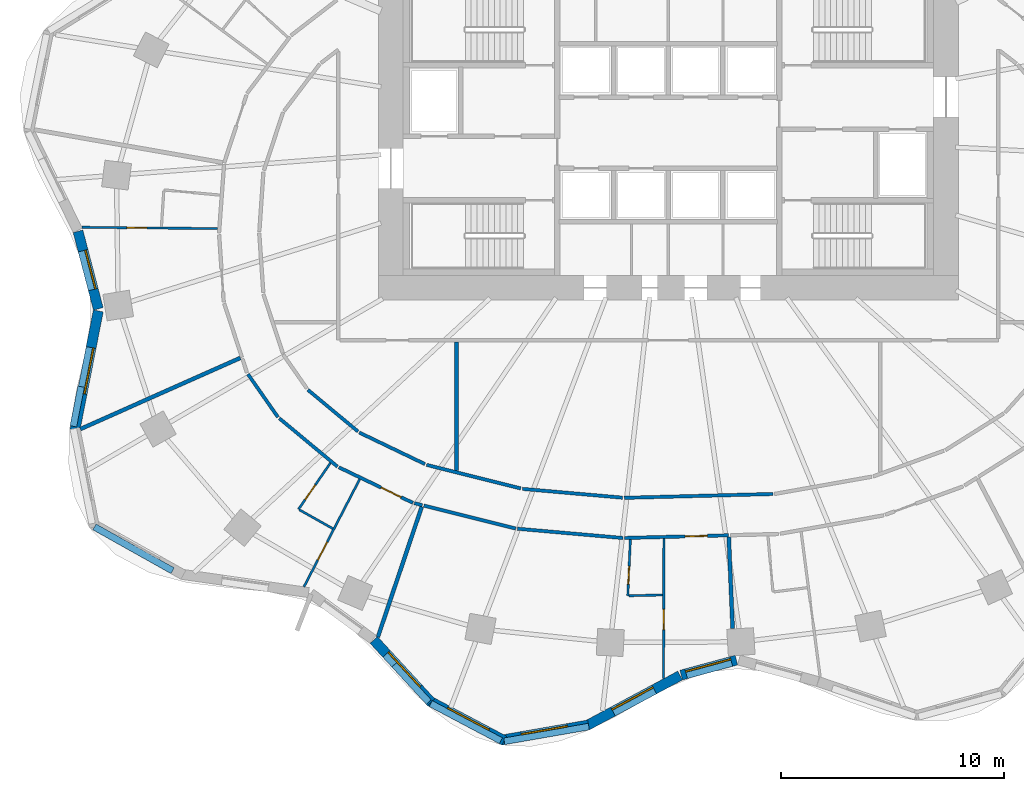
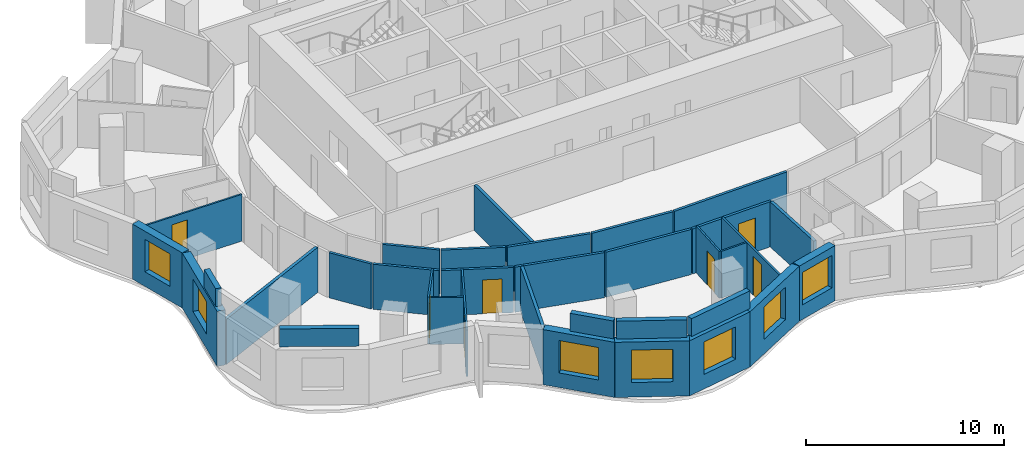
# One storey, part 3 of 10: 35 walls, 7 doors, 7 windows, 14 openings.
"""IFC4 building model written with IfcOpenShell, lengths in metres."""

from ifc_helpers import new_model, si_unit, direction, frame, frame_2d, origin, place, context, subcontext, project, spatial, rectangle, extrude, material, layer, layer_set, type_object, element, fill, save


model = new_model("IFC4")

# Units and contexts
model_context = context("Model", 3, precision=1e-05, world=origin(), true_north=direction((0.0, 1.0)))
body_context = subcontext(model_context, "Body", "Model", "MODEL_VIEW")
ifc_project = project(units=[si_unit("LENGTHUNIT", "METRE"), si_unit("AREAUNIT", "SQUARE_METRE"), si_unit("VOLUMEUNIT", "CUBIC_METRE"), si_unit("PLANEANGLEUNIT", "RADIAN"), si_unit("MASSUNIT", "GRAM", prefix="KILO")], contexts=[model_context])

# Site, building, storey
site_placement = place(None, origin())
site = spatial("IfcSite", under=ifc_project, at=site_placement, CompositionType="ELEMENT")
building_placement = place(site_placement, origin())
building = spatial("IfcBuilding", under=site, at=building_placement, Name="Rubra Terraces Tower", CompositionType="ELEMENT")
storey_placement = place(building_placement, frame((0.0, 0.0, 96.0)))
storey = spatial("IfcBuildingStorey", under=building, at=storey_placement, Name="L22", CompositionType="ELEMENT", Elevation=96.0)

# Walls
ifc_material_1 = material(Name="Twin plasterboard on staggered steel stud, acoustic mineral wool", Category="steel")
ifc_layer_1 = layer(ifc_material_1, 0.175048828125)
ifc_layer_set_1 = layer_set([ifc_layer_1], Name="Twin plasterboard on staggered steel stud, acoustic mineral wool")
wall_type_1 = type_object("IfcWallType", Name="ACOUSTIC PARTY WALL 175", PredefinedType="PARTITIONING", material=ifc_layer_set_1)
wall_1_placement = place(storey_placement, frame((-26.3671875, -8.789306640625, 0.0), z_axis=(0.0, 0.0, 1.0), x_axis=(0.913674334345, 0.406447057756, 0.0)))
element("IfcWall", 1, at=wall_1_placement, inside=storey, type_object=wall_type_1, Name="PARTITION", PredefinedType="PARTITIONING", context=body_context, shape_type="SweptSolid", body=[
    extrude(rectangle(XDim=7.853759765625, YDim=0.175048828125, at=frame_2d((3.9267578125, 0.0))), origin(), (0.0, 0.0, 1.0), 2.783935546875),
])
wall_2_placement = place(storey_placement, frame((-13.024169921875, -18.112060546875, 0.0), z_axis=(0.0, 0.0, 1.0), x_axis=(0.319078434674, 0.947728311556, 0.0)))
element("IfcWall", 2, at=wall_2_placement, inside=storey, type_object=wall_type_1, Name="PARTITION", PredefinedType="PARTITIONING", context=body_context, shape_type="SweptSolid", body=[
    extrude(rectangle(XDim=6.163330078125, YDim=0.175048828125, at=frame_2d((3.08154296875, 0.0))), origin(), (0.0, 0.0, 1.0), 2.783935546875),
])
wall_3_placement = place(storey_placement, frame((2.88232421875, -17.732177734375, 0.0), z_axis=(0.0, 0.0, 1.0), x_axis=(-0.042001196053, 0.999117560415, 0.0)))
element("IfcWall", 3, at=wall_3_placement, inside=storey, type_object=wall_type_1, Name="PARTITION", PredefinedType="PARTITIONING", context=body_context, shape_type="SweptSolid", body=[
    extrude(rectangle(XDim=4.109619140625, YDim=0.175048828125, at=frame_2d((2.0546875, 0.0))), origin(), (0.0, 0.0, 1.0), 2.783935546875),
])
wall_4_placement = place(storey_placement, frame((-9.5, -10.653564453125, 0.0), z_axis=(0.0, 0.0, 1.0), x_axis=(0.0, 1.0, 0.0)))
element("IfcWall", 4, at=wall_4_placement, inside=storey, type_object=wall_type_1, Name="PARTITION", PredefinedType="PARTITIONING", context=body_context, shape_type="SweptSolid", body=[
    extrude(rectangle(XDim=5.778564453125, YDim=0.175048828125, at=frame_2d((2.88916015625, 0.0))), origin(), (0.0, 0.0, 1.0), 2.783935546875),
])

# Wall, opening, window
ifc_material_2 = material(Name="Brick masonry red-brown", Category="masonry")
ifc_layer_2 = layer(ifc_material_2, 0.449951171875)
ifc_layer_set_2 = layer_set([ifc_layer_2], Name="Brick masonry red-brown")
wall_type_2 = type_object("IfcWallType", Name="Brick facade wall 450", PredefinedType="SOLIDWALL", material=ifc_layer_set_2)
wall_5_placement = place(storey_placement, frame((-26.469482421875, 0.0791015625, 0.0), z_axis=(0.0, 0.0, 1.0), x_axis=(0.252446779859, -0.967610780913, 0.0)))
wall_5 = element("IfcWall", 5, at=wall_5_placement, inside=storey, type_object=wall_type_2, Name="Facade wall L22 bay 21", PredefinedType="SOLIDWALL", context=body_context, shape_type="SweptSolid", body=[
    extrude(rectangle(XDim=3.5947265625, YDim=0.449951171875, at=frame_2d((1.79736328125, 0.0))), origin(), (0.0, 0.0, 1.0), 3.39990234375),
])
opening_1_placement = place(wall_5_placement, frame((0.897216796875, 0.0, 0.89990234375)))
opening_1 = element("IfcOpeningElement", 6, at=opening_1_placement, cuts=wall_5, Name="Opening W6", PredefinedType="OPENING", context=body_context, shape_type="SweptSolid", body=[
    extrude(rectangle(XDim=1.800048828125, YDim=2.0, at=frame_2d((0.89990234375, 1.0))), frame((0.0, 0.23486328125, 0.0), z_axis=(0.0, -1.0, 0.0), x_axis=(1.0, 0.0, 0.0)), (0.0, 0.0, 1.0), 0.469970703125),
])
ifc_material_3 = material(Name="Clear glass in aluminium frame", Category="aluminium")
window_type_1 = type_object("IfcWindowType", Name="Fixed deep-set window at wind fin 1800 x 2000", PartitioningType="SINGLE_PANEL", PredefinedType="WINDOW", material=ifc_material_3)
window_1_placement = place(opening_1_placement, origin())
window_1 = element("IfcWindow", 7, at=window_1_placement, inside=storey, type_object=window_type_1, Name="Window L22 bay 21", OverallHeight=2.0, OverallWidth=1.800048828125, PartitioningType="SINGLE_PANEL", PredefinedType="WINDOW", context=body_context, shape_type="SweptSolid", body=[
    extrude(rectangle(XDim=1.800048828125, YDim=2.0, at=frame_2d((0.89990234375, 1.0))), frame((0.0, 0.135009765625, 0.0), z_axis=(0.0, -1.0, 0.0), x_axis=(1.0, 0.0, 0.0)), (0.0, 0.0, 1.0), 0.06005859375),
])
fill(opening_1, window_1)

wall_6_placement = place(storey_placement, frame((-25.561279296875, -3.490478515625, 0.0), z_axis=(0.0, 0.0, 1.0), x_axis=(-0.192494026297, -0.981298145234, 0.0)))
wall_6 = element("IfcWall", 8, at=wall_6_placement, inside=storey, type_object=wall_type_2, Name="Facade wall L22 bay 22", PredefinedType="SOLIDWALL", context=body_context, shape_type="SweptSolid", body=[
    extrude(rectangle(XDim=5.446044921875, YDim=0.449951171875, at=frame_2d((2.72314453125, 0.0))), origin(), (0.0, 0.0, 1.0), 3.39990234375),
])
opening_2_placement = place(wall_6_placement, frame((1.673095703125, 0.0, 0.89990234375)))
opening_2 = element("IfcOpeningElement", 9, at=opening_2_placement, cuts=wall_6, Name="Opening W1", PredefinedType="OPENING", context=body_context, shape_type="SweptSolid", body=[
    extrude(rectangle(XDim=2.10009765625, YDim=2.0, at=frame_2d((1.050048828125, 1.0))), frame((0.0, 0.23486328125, 0.0), z_axis=(0.0, -1.0, 0.0), x_axis=(1.0, 0.0, 0.0)), (0.0, 0.0, 1.0), 0.469970703125),
])
window_type_2 = type_object("IfcWindowType", Name="Fixed deep-set window 2100 x 2000", PartitioningType="SINGLE_PANEL", PredefinedType="WINDOW", material=ifc_material_3)
window_2_placement = place(opening_2_placement, origin())
window_2 = element("IfcWindow", 10, at=window_2_placement, inside=storey, type_object=window_type_2, Name="Window L22 bay 22", OverallHeight=2.0, OverallWidth=2.10009765625, PartitioningType="SINGLE_PANEL", PredefinedType="WINDOW", context=body_context, shape_type="SweptSolid", body=[
    extrude(rectangle(XDim=2.10009765625, YDim=2.0, at=frame_2d((1.050048828125, 1.0))), frame((0.0, 0.135009765625, 0.0), z_axis=(0.0, -1.0, 0.0), x_axis=(1.0, 0.0, 0.0)), (0.0, 0.0, 1.0), 0.06005859375),
])
fill(opening_2, window_2)

wall_7_placement = place(storey_placement, frame((-13.20947265625, -18.242919921875, 0.0), z_axis=(0.0, 0.0, 1.0), x_axis=(0.677612152497, -0.735419452278, 0.0)))
wall_7 = element("IfcWall", 11, at=wall_7_placement, inside=storey, type_object=wall_type_2, Name="Facade wall L22 bay 27", PredefinedType="SOLIDWALL", context=body_context, shape_type="SweptSolid", body=[
    extrude(rectangle(XDim=3.796875, YDim=0.449951171875, at=frame_2d((1.8984375, 0.0))), origin(), (0.0, 0.0, 1.0), 3.39990234375),
])
opening_3_placement = place(wall_7_placement, frame((0.848388671875, 0.0, 0.89990234375)))
opening_3 = element("IfcOpeningElement", 12, at=opening_3_placement, cuts=wall_7, Name="Opening W1", PredefinedType="OPENING", context=body_context, shape_type="SweptSolid", body=[
    extrude(rectangle(XDim=2.10009765625, YDim=2.0, at=frame_2d((1.050048828125, 1.0))), frame((0.0, 0.23486328125, 0.0), z_axis=(0.0, -1.0, 0.0), x_axis=(1.0, 0.0, 0.0)), (0.0, 0.0, 1.0), 0.469970703125),
])
window_3_placement = place(opening_3_placement, origin())
window_3 = element("IfcWindow", 13, at=window_3_placement, inside=storey, type_object=window_type_2, Name="Window L22 bay 27", OverallHeight=2.0, OverallWidth=2.10009765625, PartitioningType="SINGLE_PANEL", PredefinedType="WINDOW", context=body_context, shape_type="SweptSolid", body=[
    extrude(rectangle(XDim=2.10009765625, YDim=2.0, at=frame_2d((1.050048828125, 1.0))), frame((0.0, 0.135009765625, 0.0), z_axis=(0.0, -1.0, 0.0), x_axis=(1.0, 0.0, 0.0)), (0.0, 0.0, 1.0), 0.06005859375),
])
fill(opening_3, window_3)

wall_8_placement = place(storey_placement, frame((-10.692626953125, -20.9931640625, 0.0), z_axis=(0.0, 0.0, 1.0), x_axis=(0.883817790726, -0.46783128668, 0.0)))
wall_8 = element("IfcWall", 14, at=wall_8_placement, inside=storey, type_object=wall_type_2, Name="Facade wall L22 bay 28", PredefinedType="SOLIDWALL", context=body_context, shape_type="SweptSolid", body=[
    extrude(rectangle(XDim=3.776611328125, YDim=0.449951171875, at=frame_2d((1.88818359375, 0.0))), origin(), (0.0, 0.0, 1.0), 3.39990234375),
])
opening_4_placement = place(wall_8_placement, frame((0.83837890625, 0.0, 0.89990234375)))
opening_4 = element("IfcOpeningElement", 15, at=opening_4_placement, cuts=wall_8, Name="Opening W1", PredefinedType="OPENING", context=body_context, shape_type="SweptSolid", body=[
    extrude(rectangle(XDim=2.10009765625, YDim=2.0, at=frame_2d((1.050048828125, 1.0))), frame((0.0, 0.23486328125, 0.0), z_axis=(0.0, -1.0, 0.0), x_axis=(1.0, 0.0, 0.0)), (0.0, 0.0, 1.0), 0.469970703125),
])
window_4_placement = place(opening_4_placement, origin())
window_4 = element("IfcWindow", 16, at=window_4_placement, inside=storey, type_object=window_type_2, Name="Window L22 bay 28", OverallHeight=2.0, OverallWidth=2.10009765625, PartitioningType="SINGLE_PANEL", PredefinedType="WINDOW", context=body_context, shape_type="SweptSolid", body=[
    extrude(rectangle(XDim=2.10009765625, YDim=2.0, at=frame_2d((1.050048828125, 1.0))), frame((0.0, 0.135009765625, 0.0), z_axis=(0.0, -1.0, 0.0), x_axis=(1.0, 0.0, 0.0)), (0.0, 0.0, 1.0), 0.06005859375),
])
fill(opening_4, window_4)

wall_9_placement = place(storey_placement, frame((-7.49853515625, -22.7373046875, 0.0), z_axis=(0.0, 0.0, 1.0), x_axis=(0.98521220506, 0.171338585849, 0.0)))
wall_9 = element("IfcWall", 17, at=wall_9_placement, inside=storey, type_object=wall_type_2, Name="Facade wall L22 bay 29", PredefinedType="SOLIDWALL", context=body_context, shape_type="SweptSolid", body=[
    extrude(rectangle(XDim=3.979736328125, YDim=0.449951171875, at=frame_2d((1.98974609375, 0.0))), origin(), (0.0, 0.0, 1.0), 3.39990234375),
])
opening_5_placement = place(wall_9_placement, frame((0.93994140625, 0.0, 0.89990234375)))
opening_5 = element("IfcOpeningElement", 18, at=opening_5_placement, cuts=wall_9, Name="Opening W1", PredefinedType="OPENING", context=body_context, shape_type="SweptSolid", body=[
    extrude(rectangle(XDim=2.10009765625, YDim=2.0, at=frame_2d((1.050048828125, 1.0))), frame((0.0, 0.23486328125, 0.0), z_axis=(0.0, -1.0, 0.0), x_axis=(1.0, 0.0, 0.0)), (0.0, 0.0, 1.0), 0.469970703125),
])
window_5_placement = place(opening_5_placement, origin())
window_5 = element("IfcWindow", 19, at=window_5_placement, inside=storey, type_object=window_type_2, Name="Window L22 bay 29", OverallHeight=2.0, OverallWidth=2.10009765625, PartitioningType="SINGLE_PANEL", PredefinedType="WINDOW", context=body_context, shape_type="SweptSolid", body=[
    extrude(rectangle(XDim=2.10009765625, YDim=2.0, at=frame_2d((1.050048828125, 1.0))), frame((0.0, 0.135009765625, 0.0), z_axis=(0.0, -1.0, 0.0), x_axis=(1.0, 0.0, 0.0)), (0.0, 0.0, 1.0), 0.06005859375),
])
fill(opening_5, window_5)

wall_10_placement = place(storey_placement, frame((-3.6455078125, -22.07861328125, 0.0), z_axis=(0.0, 0.0, 1.0), x_axis=(0.881279133897, 0.472596115259, 0.0)))
wall_10 = element("IfcWall", 20, at=wall_10_placement, inside=storey, type_object=wall_type_2, Name="Facade wall L22 bay 30", PredefinedType="SOLIDWALL", context=body_context, shape_type="SweptSolid", body=[
    extrude(rectangle(XDim=4.736572265625, YDim=0.449951171875, at=frame_2d((2.3681640625, 0.0))), origin(), (0.0, 0.0, 1.0), 3.39990234375),
])
opening_6_placement = place(wall_10_placement, frame((1.318115234375, 0.0, 0.89990234375)))
opening_6 = element("IfcOpeningElement", 21, at=opening_6_placement, cuts=wall_10, Name="Opening W1", PredefinedType="OPENING", context=body_context, shape_type="SweptSolid", body=[
    extrude(rectangle(XDim=2.10009765625, YDim=2.0, at=frame_2d((1.050048828125, 1.0))), frame((0.0, 0.23486328125, 0.0), z_axis=(0.0, -1.0, 0.0), x_axis=(1.0, 0.0, 0.0)), (0.0, 0.0, 1.0), 0.469970703125),
])
window_6_placement = place(opening_6_placement, origin())
window_6 = element("IfcWindow", 22, at=window_6_placement, inside=storey, type_object=window_type_2, Name="Window L22 bay 30", OverallHeight=2.0, OverallWidth=2.10009765625, PartitioningType="SINGLE_PANEL", PredefinedType="WINDOW", context=body_context, shape_type="SweptSolid", body=[
    extrude(rectangle(XDim=2.10009765625, YDim=2.0, at=frame_2d((1.050048828125, 1.0))), frame((0.0, 0.135009765625, 0.0), z_axis=(0.0, -1.0, 0.0), x_axis=(1.0, 0.0, 0.0)), (0.0, 0.0, 1.0), 0.06005859375),
])
fill(opening_6, window_6)

wall_11_placement = place(storey_placement, frame((0.576171875, -19.8212890625, 0.0), z_axis=(0.0, 0.0, 1.0), x_axis=(0.965009398019, 0.262215296532, 0.0)))
wall_11 = element("IfcWall", 23, at=wall_11_placement, inside=storey, type_object=wall_type_2, Name="Facade wall L22 bay 31", PredefinedType="SOLIDWALL", context=body_context, shape_type="SweptSolid", body=[
    extrude(rectangle(XDim=2.565185546875, YDim=0.449951171875, at=frame_2d((1.28271484375, 0.0))), origin(), (0.0, 0.0, 1.0), 3.39990234375),
])
opening_7_placement = place(wall_11_placement, frame((0.232666015625, 0.0, 0.89990234375)))
opening_7 = element("IfcOpeningElement", 24, at=opening_7_placement, cuts=wall_11, Name="Opening W1", PredefinedType="OPENING", context=body_context, shape_type="SweptSolid", body=[
    extrude(rectangle(XDim=2.10009765625, YDim=2.0, at=frame_2d((1.050048828125, 1.0))), frame((0.0, 0.23486328125, 0.0), z_axis=(0.0, -1.0, 0.0), x_axis=(1.0, 0.0, 0.0)), (0.0, 0.0, 1.0), 0.469970703125),
])
window_7_placement = place(opening_7_placement, origin())
window_7 = element("IfcWindow", 25, at=window_7_placement, inside=storey, type_object=window_type_2, Name="Window L22 bay 31", OverallHeight=2.0, OverallWidth=2.10009765625, PartitioningType="SINGLE_PANEL", PredefinedType="WINDOW", context=body_context, shape_type="SweptSolid", body=[
    extrude(rectangle(XDim=2.10009765625, YDim=2.0, at=frame_2d((1.050048828125, 1.0))), frame((0.0, 0.135009765625, 0.0), z_axis=(0.0, -1.0, 0.0), x_axis=(1.0, 0.0, 0.0)), (0.0, 0.0, 1.0), 0.06005859375),
])
fill(opening_7, window_7)

# Walls
ifc_layer_3 = layer(ifc_material_2, 0.300048828125)
ifc_layer_set_3 = layer_set([ifc_layer_3], Name="Brick masonry red-brown")
wall_type_3 = type_object("IfcWallType", Name="Brick parapet 300", PredefinedType="PARAPET", material=ifc_layer_set_3)
wall_12_placement = place(storey_placement, frame((-26.33154296875, -6.888671875, 3.60009765625), z_axis=(0.0, 0.0, 1.0), x_axis=(-0.192480725658, -0.981300754229, 0.0)))
element("IfcWall", 26, at=wall_12_placement, inside=storey, type_object=wall_type_3, Name="Parapet L22 bay 22", PredefinedType="PARAPET", context=body_context, shape_type="SweptSolid", body=[
    extrude(rectangle(XDim=1.808837890625, YDim=0.300048828125, at=frame_2d((0.904296875, 0.0))), origin(), (0.0, 0.0, 1.0), 1.099853515625),
])
wall_13_placement = place(storey_placement, frame((-25.733642578125, -13.175537109375, 3.60009765625), z_axis=(0.0, 0.0, 1.0), x_axis=(0.872347343965, -0.488886603905, 0.0)))
element("IfcWall", 27, at=wall_13_placement, inside=storey, type_object=wall_type_3, Name="Parapet L22 bay 24", PredefinedType="PARAPET", context=body_context, shape_type="SweptSolid", body=[
    extrude(rectangle(XDim=4.015625, YDim=0.300048828125, at=frame_2d((2.0078125, 0.0))), origin(), (0.0, 0.0, 1.0), 1.099853515625),
])
wall_14_placement = place(storey_placement, frame((-12.287841796875, -19.353759765625, 3.60009765625), z_axis=(0.0, 0.0, 1.0), x_axis=(0.677603807485, -0.735427141246, 0.0)))
element("IfcWall", 28, at=wall_14_placement, inside=storey, type_object=wall_type_3, Name="Parapet L22 bay 27", PredefinedType="PARAPET", context=body_context, shape_type="SweptSolid", body=[
    extrude(rectangle(XDim=2.280029296875, YDim=0.300048828125, at=frame_2d((1.14013671875, 0.0))), origin(), (0.0, 0.0, 1.0), 1.099853515625),
])
wall_15_placement = place(storey_placement, frame((-10.656005859375, -21.097412109375, 3.60009765625), z_axis=(0.0, 0.0, 1.0), x_axis=(0.883797916666, -0.467868830439, 0.0)))
element("IfcWall", 29, at=wall_15_placement, inside=storey, type_object=wall_type_3, Name="Parapet L22 bay 28", PredefinedType="PARAPET", context=body_context, shape_type="SweptSolid", body=[
    extrude(rectangle(XDim=3.56298828125, YDim=0.300048828125, at=frame_2d((1.781494140625, 0.0))), origin(), (0.0, 0.0, 1.0), 1.099853515625),
])
wall_16_placement = place(storey_placement, frame((-7.35498046875, -22.78857421875, 3.60009765625), z_axis=(0.0, 0.0, 1.0), x_axis=(0.985201040548, 0.171402770404, 0.0)))
element("IfcWall", 30, at=wall_16_placement, inside=storey, type_object=wall_type_3, Name="Parapet L22 bay 29", PredefinedType="PARAPET", context=body_context, shape_type="SweptSolid", body=[
    extrude(rectangle(XDim=3.84716796875, YDim=0.300048828125, at=frame_2d((1.923583984375, 0.0))), origin(), (0.0, 0.0, 1.0), 1.099853515625),
])
ifc_material_4 = material(Name="Plasterboard on steel stud, mineral wool infill", Category="steel")
ifc_layer_4 = layer(ifc_material_4, 0.14990234375)
ifc_layer_set_4 = layer_set([ifc_layer_4], Name="Plasterboard on steel stud, mineral wool infill")
wall_type_4 = type_object("IfcWallType", Name="CORRIDOR PARTITION 150", PredefinedType="PARTITIONING", material=ifc_layer_set_4)
wall_17_placement = place(storey_placement, frame((-18.85107421875, -6.324951171875, 0.0), z_axis=(0.0, 0.0, 1.0), x_axis=(0.572090775968, -0.820190309656, 0.0)))
element("IfcWall", 31, at=wall_17_placement, inside=storey, type_object=wall_type_4, Name="PARTITION", PredefinedType="PARTITIONING", context=body_context, shape_type="SweptSolid", body=[
    extrude(rectangle(XDim=2.354736328125, YDim=0.14990234375, at=frame_2d((1.17724609375, 0.0))), origin(), (0.0, 0.0, 1.0), 2.783935546875),
])
wall_18_placement = place(storey_placement, frame((-17.4462890625, -8.30419921875, 0.0), z_axis=(0.0, 0.0, 1.0), x_axis=(0.769200174495, -0.639007896318, 0.0)))
element("IfcWall", 32, at=wall_18_placement, inside=storey, type_object=wall_type_4, Name="PARTITION", PredefinedType="PARTITIONING", context=body_context, shape_type="SweptSolid", body=[
    extrude(rectangle(XDim=3.390380859375, YDim=0.14990234375, at=frame_2d((1.6953125, 0.0))), origin(), (0.0, 0.0, 1.0), 2.783935546875),
])

# Wall, opening, door
wall_19_placement = place(storey_placement, frame((-14.77099609375, -10.50341796875, 0.0), z_axis=(0.0, 0.0, 1.0), x_axis=(0.901503349553, -0.432772123346, 0.0)))
wall_19 = element("IfcWall", 33, at=wall_19_placement, inside=storey, type_object=wall_type_4, Name="PARTITION", PredefinedType="PARTITIONING", context=body_context, shape_type="SweptSolid", body=[
    extrude(rectangle(XDim=3.673095703125, YDim=0.14990234375, at=frame_2d((1.83642578125, 0.0))), origin(), (0.0, 0.0, 1.0), 2.783935546875),
])
opening_8_placement = place(wall_19_placement, frame((2.092041015625, 0.0, 0.0)))
opening_8 = element("IfcOpeningElement", 34, at=opening_8_placement, cuts=wall_19, Name="Opening 22-114", PredefinedType="OPENING", context=body_context, shape_type="SweptSolid", body=[
    extrude(rectangle(XDim=1.0, YDim=2.10009765625, at=frame_2d((0.5, 1.050048828125))), frame((0.0, 0.0849609375, 0.0), z_axis=(0.0, -1.0, 0.0), x_axis=(1.0, 0.0, 0.0)), (0.0, 0.0, 1.0), 0.169921875),
])
ifc_material_5 = material(Name="Painted timber door leaf", Category="wood")
door_type_1 = type_object("IfcDoorType", Name="ROOM DOOR 1000 X 2100", OperationType="SINGLE_SWING_LEFT", PredefinedType="DOOR", material=ifc_material_5)
door_1_placement = place(opening_8_placement, origin())
door_1 = element("IfcDoor", 35, at=door_1_placement, inside=storey, type_object=door_type_1, Name="DOOR 22-114", OperationType="SINGLE_SWING_RIGHT", OverallHeight=2.10009765625, OverallWidth=1.0, PredefinedType="DOOR", context=body_context, shape_type="SweptSolid", body=[
    extrude(rectangle(XDim=1.0, YDim=2.10009765625, at=frame_2d((0.5, 1.050048828125))), frame((0.0, 0.02490234375, 0.0), z_axis=(0.0, -1.0, 0.0), x_axis=(1.0, 0.0, 0.0)), (0.0, 0.0, 1.0), 0.050048828125),
])
fill(opening_8, door_1)

# Walls
wall_20_placement = place(storey_placement, frame((-11.386962890625, -12.111328125, 0.0), z_axis=(0.0, 0.0, 1.0), x_axis=(0.969945028314, -0.243324150157, 0.0)))
element("IfcWall", 36, at=wall_20_placement, inside=storey, type_object=wall_type_4, Name="PARTITION", PredefinedType="PARTITIONING", context=body_context, shape_type="SweptSolid", body=[
    extrude(rectangle(XDim=0.3642578125, YDim=0.14990234375, at=frame_2d((0.18212890625, 0.0))), origin(), (0.0, 0.0, 1.0), 2.783935546875),
])
wall_21_placement = place(storey_placement, frame((-10.961181640625, -12.218017578125, 0.0), z_axis=(0.0, 0.0, 1.0), x_axis=(0.969990045386, -0.243144631551, 0.0)))
element("IfcWall", 37, at=wall_21_placement, inside=storey, type_object=wall_type_4, Name="PARTITION", PredefinedType="PARTITIONING", context=body_context, shape_type="SweptSolid", body=[
    extrude(rectangle(XDim=4.244384765625, YDim=0.14990234375, at=frame_2d((2.1220703125, 0.0))), origin(), (0.0, 0.0, 1.0), 2.783935546875),
])
wall_22_placement = place(storey_placement, frame((-6.76953125, -13.256591796875, 0.0), z_axis=(0.0, 0.0, 1.0), x_axis=(0.996139758015, -0.08778144737, 0.0)))
element("IfcWall", 38, at=wall_22_placement, inside=storey, type_object=wall_type_4, Name="PARTITION", PredefinedType="PARTITIONING", context=body_context, shape_type="SweptSolid", body=[
    extrude(rectangle(XDim=4.755859375, YDim=0.14990234375, at=frame_2d((2.3779296875, 0.0))), origin(), (0.0, 0.0, 1.0), 2.783935546875),
])

# Wall, opening, door
wall_23_placement = place(storey_placement, frame((-1.95703125, -13.672119140625, 0.0), z_axis=(0.0, 0.0, 1.0), x_axis=(0.999664413823, 0.025904820691, 0.0)))
wall_23 = element("IfcWall", 39, at=wall_23_placement, inside=storey, type_object=wall_type_4, Name="PARTITION", PredefinedType="PARTITIONING", context=body_context, shape_type="SweptSolid", body=[
    extrude(rectangle(XDim=4.6650390625, YDim=0.14990234375, at=frame_2d((2.33251953125, 0.0))), origin(), (0.0, 0.0, 1.0), 2.783935546875),
])
opening_9_placement = place(wall_23_placement, frame((2.7119140625, 0.0, 0.0)))
opening_9 = element("IfcOpeningElement", 40, at=opening_9_placement, cuts=wall_23, Name="Opening 22-117", PredefinedType="OPENING", context=body_context, shape_type="SweptSolid", body=[
    extrude(rectangle(XDim=1.0, YDim=2.10009765625, at=frame_2d((0.5, 1.050048828125))), frame((0.0, 0.0849609375, 0.0), z_axis=(0.0, -1.0, 0.0), x_axis=(1.0, 0.0, 0.0)), (0.0, 0.0, 1.0), 0.169921875),
])
door_2_placement = place(opening_9_placement, origin())
door_2 = element("IfcDoor", 41, at=door_2_placement, inside=storey, type_object=door_type_1, Name="DOOR 22-117", OperationType="SINGLE_SWING_RIGHT", OverallHeight=2.10009765625, OverallWidth=1.0, PredefinedType="DOOR", context=body_context, shape_type="SweptSolid", body=[
    extrude(rectangle(XDim=1.0, YDim=2.10009765625, at=frame_2d((0.5, 1.050048828125))), frame((0.0, 0.02490234375, 0.0), z_axis=(0.0, -1.0, 0.0), x_axis=(1.0, 0.0, 0.0)), (0.0, 0.0, 1.0), 0.050048828125),
])
fill(opening_9, door_2)

# Walls
wall_24_placement = place(storey_placement, frame((4.684326171875, -11.69921875, 0.0), z_axis=(0.0, 0.0, 1.0), x_axis=(-0.999663438204, -0.025942442425, 0.0)))
element("IfcWall", 42, at=wall_24_placement, inside=storey, type_object=wall_type_4, Name="PARTITION", PredefinedType="PARTITIONING", context=body_context, shape_type="SweptSolid", body=[
    extrude(rectangle(XDim=6.662841796875, YDim=0.14990234375, at=frame_2d((3.33154296875, 0.0))), origin(), (0.0, 0.0, 1.0), 2.783935546875),
])
wall_25_placement = place(storey_placement, frame((-2.05078125, -11.865478515625, 0.0), z_axis=(0.0, 0.0, 1.0), x_axis=(-0.996139599493, 0.087783246245, 0.0)))
element("IfcWall", 43, at=wall_25_placement, inside=storey, type_object=wall_type_4, Name="PARTITION", PredefinedType="PARTITIONING", context=body_context, shape_type="SweptSolid", body=[
    extrude(rectangle(XDim=4.510986328125, YDim=0.14990234375, at=frame_2d((2.25537109375, 0.0))), origin(), (0.0, 0.0, 1.0), 2.783935546875),
])
wall_26_placement = place(storey_placement, frame((-6.6171875, -11.451416015625, 0.0), z_axis=(0.0, 0.0, 1.0), x_axis=(-0.969987441267, 0.243155020069, 0.0)))
element("IfcWall", 44, at=wall_26_placement, inside=storey, type_object=wall_type_4, Name="PARTITION", PredefinedType="PARTITIONING", context=body_context, shape_type="SweptSolid", body=[
    extrude(rectangle(XDim=4.358642578125, YDim=0.14990234375, at=frame_2d((2.17919921875, 0.0))), origin(), (0.0, 0.0, 1.0), 2.783935546875),
])
wall_27_placement = place(storey_placement, frame((-10.91259765625, -10.35888671875, 0.0), z_axis=(0.0, 0.0, 1.0), x_axis=(-0.90149741277, 0.432784489982, 0.0)))
element("IfcWall", 45, at=wall_27_placement, inside=storey, type_object=wall_type_4, Name="PARTITION", PredefinedType="PARTITIONING", context=body_context, shape_type="SweptSolid", body=[
    extrude(rectangle(XDim=3.2685546875, YDim=0.14990234375, at=frame_2d((1.63427734375, 0.0))), origin(), (0.0, 0.0, 1.0), 2.783935546875),
])
wall_28_placement = place(storey_placement, frame((-13.916748046875, -8.896484375, 0.0), z_axis=(0.0, 0.0, 1.0), x_axis=(-0.769130409479, 0.639091866021, 0.0)))
element("IfcWall", 46, at=wall_28_placement, inside=storey, type_object=wall_type_4, Name="PARTITION", PredefinedType="PARTITIONING", context=body_context, shape_type="SweptSolid", body=[
    extrude(rectangle(XDim=2.925048828125, YDim=0.14990234375, at=frame_2d((1.46240234375, 0.0))), origin(), (0.0, 0.0, 1.0), 2.783935546875),
])

# Wall, opening, door
ifc_material_6 = material(Name="Plasterboard on steel stud", Category="steel")
ifc_layer_5 = layer(ifc_material_6, 0.10009765625)
ifc_layer_set_5 = layer_set([ifc_layer_5], Name="Plasterboard on steel stud")
wall_type_5 = type_object("IfcWallType", Name="ROOM PARTITION 100", PredefinedType="PARTITIONING", material=ifc_layer_set_5)
wall_29_placement = place(storey_placement, frame((-26.300537109375, 0.26025390625, 0.0), z_axis=(0.0, 0.0, 1.0), x_axis=(0.999951380923, -0.009860820962, 0.0)))
wall_29 = element("IfcWall", 47, at=wall_29_placement, inside=storey, type_object=wall_type_5, Name="PARTITION", PredefinedType="PARTITIONING", context=body_context, shape_type="SweptSolid", body=[
    extrude(rectangle(XDim=6.090576171875, YDim=0.10009765625, at=frame_2d((3.04541015625, 0.0))), origin(), (0.0, 0.0, 1.0), 2.884033203125),
])
opening_10_placement = place(wall_29_placement, frame((2.01611328125, 0.0, 0.0)))
opening_10 = element("IfcOpeningElement", 48, at=opening_10_placement, cuts=wall_29, Name="Opening 22-110", PredefinedType="OPENING", context=body_context, shape_type="SweptSolid", body=[
    extrude(rectangle(XDim=0.89990234375, YDim=2.39990234375, at=frame_2d((0.449951171875, 1.199951171875))), frame((0.0, 0.06005859375, 0.0), z_axis=(0.0, -1.0, 0.0), x_axis=(1.0, 0.0, 0.0)), (0.0, 0.0, 1.0), 0.1201171875),
])
ifc_material_7 = material(Name="Veneered timber door leaf, fire-rated", Category="wood")
door_type_2 = type_object("IfcDoorType", Name="SUITE ENTRANCE DOOR 900 X 2400", OperationType="SINGLE_SWING_LEFT", PredefinedType="DOOR", material=ifc_material_7)
door_3_placement = place(opening_10_placement, origin())
door_3 = element("IfcDoor", 49, at=door_3_placement, inside=storey, type_object=door_type_2, Name="DOOR 22-110", OperationType="SINGLE_SWING_LEFT", OverallHeight=2.39990234375, OverallWidth=0.89990234375, PredefinedType="DOOR", context=body_context, shape_type="SweptSolid", body=[
    extrude(rectangle(XDim=0.89990234375, YDim=2.39990234375, at=frame_2d((0.449951171875, 1.199951171875))), frame((0.0, 0.02490234375, 0.0), z_axis=(0.0, -1.0, 0.0), x_axis=(1.0, 0.0, 0.0)), (0.0, 0.0, 1.0), 0.050048828125),
])
fill(opening_10, door_3)

wall_30_placement = place(storey_placement, frame((-16.341064453125, -15.8623046875, 0.0), z_axis=(0.0, 0.0, 1.0), x_axis=(0.460149427678, 0.887841485969, 0.0)))
wall_30 = element("IfcWall", 50, at=wall_30_placement, inside=storey, type_object=wall_type_5, Name="PARTITION", PredefinedType="PARTITIONING", context=body_context, shape_type="SweptSolid", body=[
    extrude(rectangle(XDim=5.438232421875, YDim=0.10009765625, at=frame_2d((2.71923828125, 0.0))), origin(), (0.0, 0.0, 1.0), 2.884033203125),
])
opening_11_placement = place(wall_30_placement, frame((1.363037109375, 0.0, 0.0)))
opening_11 = element("IfcOpeningElement", 51, at=opening_11_placement, cuts=wall_30, Name="Opening 22-113", PredefinedType="OPENING", context=body_context, shape_type="SweptSolid", body=[
    extrude(rectangle(XDim=0.89990234375, YDim=2.39990234375, at=frame_2d((0.449951171875, 1.199951171875))), frame((0.0, 0.06005859375, 0.0), z_axis=(0.0, -1.0, 0.0), x_axis=(1.0, 0.0, 0.0)), (0.0, 0.0, 1.0), 0.1201171875),
])
door_4_placement = place(opening_11_placement, origin())
door_4 = element("IfcDoor", 52, at=door_4_placement, inside=storey, type_object=door_type_2, Name="DOOR 22-113", OperationType="SINGLE_SWING_LEFT", OverallHeight=2.39990234375, OverallWidth=0.89990234375, PredefinedType="DOOR", context=body_context, shape_type="SweptSolid", body=[
    extrude(rectangle(XDim=0.89990234375, YDim=2.39990234375, at=frame_2d((0.449951171875, 1.199951171875))), frame((0.0, 0.02490234375, 0.0), z_axis=(0.0, -1.0, 0.0), x_axis=(1.0, 0.0, 0.0)), (0.0, 0.0, 1.0), 0.050048828125),
])
fill(opening_11, door_4)

wall_31_placement = place(storey_placement, frame((-15.15234375, -10.30712890625, 0.0), z_axis=(0.0, 0.0, 1.0), x_axis=(-0.567242581317, -0.823550759784, 0.0)))
wall_31 = element("IfcWall", 53, at=wall_31_placement, inside=storey, type_object=wall_type_5, Name="PARTITION", PredefinedType="PARTITIONING", context=body_context, shape_type="SweptSolid", body=[
    extrude(rectangle(XDim=2.525146484375, YDim=0.10009765625, at=frame_2d((1.2626953125, 0.0))), origin(), (0.0, 0.0, 1.0), 2.884033203125),
])
opening_12_placement = place(wall_31_placement, frame((1.199951171875, 0.0, 0.0)))
opening_12 = element("IfcOpeningElement", 54, at=opening_12_placement, cuts=wall_31, Name="Opening 22-112", PredefinedType="OPENING", context=body_context, shape_type="SweptSolid", body=[
    extrude(rectangle(XDim=0.800048828125, YDim=2.10009765625, at=frame_2d((0.39990234375, 1.050048828125))), frame((0.0, 0.06005859375, 0.0), z_axis=(0.0, -1.0, 0.0), x_axis=(1.0, 0.0, 0.0)), (0.0, 0.0, 1.0), 0.1201171875),
])
door_type_3 = type_object("IfcDoorType", Name="BATHROOM DOOR 800 X 2100", OperationType="SINGLE_SWING_LEFT", PredefinedType="DOOR", material=ifc_material_5)
door_5_placement = place(opening_12_placement, origin())
door_5 = element("IfcDoor", 55, at=door_5_placement, inside=storey, type_object=door_type_3, Name="DOOR 22-112", OperationType="SINGLE_SWING_LEFT", OverallHeight=2.10009765625, OverallWidth=0.800048828125, PredefinedType="DOOR", context=body_context, shape_type="SweptSolid", body=[
    extrude(rectangle(XDim=0.800048828125, YDim=2.10009765625, at=frame_2d((0.39990234375, 1.050048828125))), frame((0.0, 0.02490234375, 0.0), z_axis=(0.0, -1.0, 0.0), x_axis=(1.0, 0.0, 0.0)), (0.0, 0.0, 1.0), 0.050048828125),
])
fill(opening_12, door_5)

# Wall
wall_32_placement = place(storey_placement, frame((-16.541015625, -12.4111328125, 0.0), z_axis=(0.0, 0.0, 1.0), x_axis=(0.872042364088, -0.489430398765, 0.0)))
element("IfcWall", 56, at=wall_32_placement, inside=storey, type_object=wall_type_5, Name="PARTITION", PredefinedType="PARTITIONING", context=body_context, shape_type="SweptSolid", body=[
    extrude(rectangle(XDim=1.716552734375, YDim=0.10009765625, at=frame_2d((0.8583984375, 0.0))), origin(), (0.0, 0.0, 1.0), 2.884033203125),
])

# Wall, opening, door
wall_33_placement = place(storey_placement, frame((-0.21435546875, -19.978759765625, 0.0), z_axis=(0.0, 0.0, 1.0), x_axis=(0.002333625165, 0.999997277093, 0.0)))
wall_33 = element("IfcWall", 57, at=wall_33_placement, inside=storey, type_object=wall_type_5, Name="PARTITION", PredefinedType="PARTITIONING", context=body_context, shape_type="SweptSolid", body=[
    extrude(rectangle(XDim=6.277099609375, YDim=0.10009765625, at=frame_2d((3.138671875, 0.0))), origin(), (0.0, 0.0, 1.0), 2.884033203125),
])
opening_13_placement = place(wall_33_placement, frame((2.201904296875, 0.0, 0.0)))
opening_13 = element("IfcOpeningElement", 58, at=opening_13_placement, cuts=wall_33, Name="Opening 22-116", PredefinedType="OPENING", context=body_context, shape_type="SweptSolid", body=[
    extrude(rectangle(XDim=0.89990234375, YDim=2.39990234375, at=frame_2d((0.449951171875, 1.199951171875))), frame((0.0, 0.06005859375, 0.0), z_axis=(0.0, -1.0, 0.0), x_axis=(1.0, 0.0, 0.0)), (0.0, 0.0, 1.0), 0.1201171875),
])
door_6_placement = place(opening_13_placement, origin())
door_6 = element("IfcDoor", 59, at=door_6_placement, inside=storey, type_object=door_type_2, Name="DOOR 22-116", OperationType="SINGLE_SWING_LEFT", OverallHeight=2.39990234375, OverallWidth=0.89990234375, PredefinedType="DOOR", context=body_context, shape_type="SweptSolid", body=[
    extrude(rectangle(XDim=0.89990234375, YDim=2.39990234375, at=frame_2d((0.449951171875, 1.199951171875))), frame((0.0, 0.02490234375, 0.0), z_axis=(0.0, -1.0, 0.0), x_axis=(1.0, 0.0, 0.0)), (0.0, 0.0, 1.0), 0.050048828125),
])
fill(opening_13, door_6)

wall_34_placement = place(storey_placement, frame((-1.702392578125, -13.740478515625, 0.0), z_axis=(0.0, 0.0, 1.0), x_axis=(-0.045833111847, -0.998949110745, 0.0)))
wall_34 = element("IfcWall", 60, at=wall_34_placement, inside=storey, type_object=wall_type_5, Name="PARTITION", PredefinedType="PARTITIONING", context=body_context, shape_type="SweptSolid", body=[
    extrude(rectangle(XDim=2.52490234375, YDim=0.10009765625, at=frame_2d((1.262451171875, 0.0))), origin(), (0.0, 0.0, 1.0), 2.884033203125),
])
opening_14_placement = place(wall_34_placement, frame((1.199951171875, 0.0, 0.0)))
opening_14 = element("IfcOpeningElement", 61, at=opening_14_placement, cuts=wall_34, Name="Opening 22-115", PredefinedType="OPENING", context=body_context, shape_type="SweptSolid", body=[
    extrude(rectangle(XDim=0.800048828125, YDim=2.10009765625, at=frame_2d((0.39990234375, 1.050048828125))), frame((0.0, 0.06005859375, 0.0), z_axis=(0.0, -1.0, 0.0), x_axis=(1.0, 0.0, 0.0)), (0.0, 0.0, 1.0), 0.1201171875),
])
door_7_placement = place(opening_14_placement, origin())
door_7 = element("IfcDoor", 62, at=door_7_placement, inside=storey, type_object=door_type_3, Name="DOOR 22-115", OperationType="SINGLE_SWING_LEFT", OverallHeight=2.10009765625, OverallWidth=0.800048828125, PredefinedType="DOOR", context=body_context, shape_type="SweptSolid", body=[
    extrude(rectangle(XDim=0.800048828125, YDim=2.10009765625, at=frame_2d((0.39990234375, 1.050048828125))), frame((0.0, 0.02490234375, 0.0), z_axis=(0.0, -1.0, 0.0), x_axis=(1.0, 0.0, 0.0)), (0.0, 0.0, 1.0), 0.050048828125),
])
fill(opening_14, door_7)

# Wall
wall_35_placement = place(storey_placement, frame((-1.768310546875, -16.26171875, 0.0), z_axis=(0.0, 0.0, 1.0), x_axis=(0.999748456617, 0.022428185195, 0.0)))
element("IfcWall", 63, at=wall_35_placement, inside=storey, type_object=wall_type_5, Name="PARTITION", PredefinedType="PARTITIONING", context=body_context, shape_type="SweptSolid", body=[
    extrude(rectangle(XDim=1.51318359375, YDim=0.10009765625, at=frame_2d((0.756591796875, 0.0))), origin(), (0.0, 0.0, 1.0), 2.884033203125),
])

save(model, "model.ifc")
